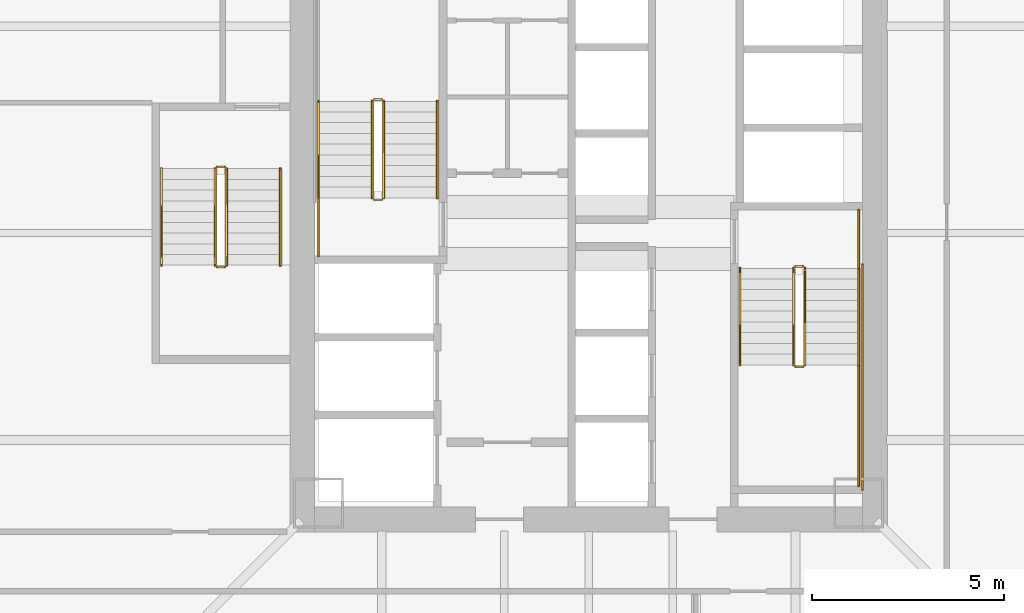
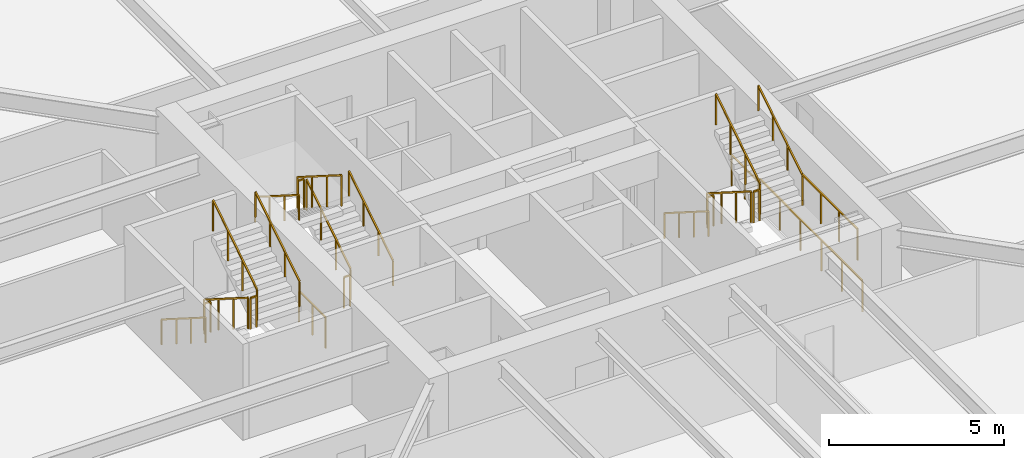
# One storey, part 42 of 46: 22 railings.
"""IFC4 building model written with IfcOpenShell, lengths in metres."""

from ifc_helpers import new_model, si_unit, direction, frame, origin, origin_2d, place, context, subcontext, project, spatial, rectangle, extrude, material, type_object, element, save


model = new_model("IFC4")

# Units and contexts
model_context = context("Model", 3, precision=1e-05, world=origin(), true_north=direction((0.0, 1.0)))
body_context = subcontext(model_context, "Body", "Model", "MODEL_VIEW")
ifc_project = project(units=[si_unit("LENGTHUNIT", "METRE"), si_unit("AREAUNIT", "SQUARE_METRE"), si_unit("VOLUMEUNIT", "CUBIC_METRE"), si_unit("PLANEANGLEUNIT", "RADIAN"), si_unit("MASSUNIT", "GRAM", prefix="KILO")], contexts=[model_context])

# Site, building, storey
site_placement = place(None, origin())
site = spatial("IfcSite", under=ifc_project, at=site_placement, CompositionType="ELEMENT")
building_placement = place(site_placement, origin())
building = spatial("IfcBuilding", under=site, at=building_placement, Name="Tashvorn Skyway Center", CompositionType="ELEMENT")
storey_placement = place(building_placement, frame((0.0, 0.0, 60.10009765625)))
storey = spatial("IfcBuildingStorey", under=building, at=storey_placement, Name="L15", CompositionType="ELEMENT", Elevation=60.10009765625)

# Railings
ifc_material_1 = material(Name="Brushed stainless steel 316", Category="steel")
railing_type_1 = type_object("IfcRailingType", Name="RAIL-HAND-920", PredefinedType="HANDRAIL", material=ifc_material_1)
railing_1_placement = place(storey_placement, frame((38.050048828125, 32.919921875, 0.177490234375)))
element("IfcRailing", 1, at=railing_1_placement, inside=storey, type_object=railing_type_1, Name="L15 ST-T1-1 stair handrail 1", PredefinedType="HANDRAIL", context=body_context, shape_type="SweptSolid", body=[
    extrude(rectangle(XDim=0.048095703125, YDim=0.048095703125, at=origin_2d()), frame((0.0, 0.0, 0.8759765625), z_axis=(0.0, 0.84460694969, 0.535386869969), x_axis=(-1.0, 0.0, 0.0)), (0.0, 0.0, 1.0), 2.983642578125),
    extrude(rectangle(XDim=0.0419921875, YDim=0.0419921875, at=origin_2d()), origin(), (0.0, 0.0, 1.0), 0.851806640625),
    extrude(rectangle(XDim=0.0419921875, YDim=0.0419921875, at=origin_2d()), frame((0.0, 0.840087890625, 0.532470703125)), (0.0, 0.0, 1.0), 0.851806640625),
    extrude(rectangle(XDim=0.0419921875, YDim=0.0419921875, at=origin_2d()), frame((0.0, 1.679931640625, 1.06494140625)), (0.0, 0.0, 1.0), 0.851806640625),
    extrude(rectangle(XDim=0.0419921875, YDim=0.0419921875, at=origin_2d()), frame((0.0, 2.52001953125, 1.597412109375)), (0.0, 0.0, 1.0), 0.851806640625),
])
for number, where, name in (
    (2, (34.949951171875, 35.43994140625, 1.952392578125), "L15 ST-T1-1 stair handrail 2"),
    (3, (45.949951171875, 31.080078125, 0.177490234375), "L15 ST-T1-2 stair handrail 1"),
):
    element("IfcRailing", number, at=place(storey_placement, frame(where)), inside=storey, type_object=railing_type_1, Name=name, PredefinedType="HANDRAIL", context=body_context, shape_type="SweptSolid", body=[
        extrude(rectangle(XDim=0.048095703125, YDim=0.048095703125, at=origin_2d()), frame((0.0, 0.0, 0.8759765625), z_axis=(0.0, -0.84460694969, 0.535386869969), x_axis=(1.0, 0.0, 0.0)), (0.0, 0.0, 1.0), 2.983642578125),
        extrude(rectangle(XDim=0.0419921875, YDim=0.0419921875, at=origin_2d()), origin(), (0.0, 0.0, 1.0), 0.851806640625),
        extrude(rectangle(XDim=0.0419921875, YDim=0.0419921875, at=origin_2d()), frame((0.0, -0.840087890625, 0.532470703125)), (0.0, 0.0, 1.0), 0.851806640625),
        extrude(rectangle(XDim=0.0419921875, YDim=0.0419921875, at=origin_2d()), frame((0.0, -1.679931640625, 1.06494140625)), (0.0, 0.0, 1.0), 0.851806640625),
        extrude(rectangle(XDim=0.0419921875, YDim=0.0419921875, at=origin_2d()), frame((0.0, -2.52001953125, 1.597412109375)), (0.0, 0.0, 1.0), 0.851806640625),
    ])
railing_2_placement = place(storey_placement, frame((49.050048828125, 28.56005859375, 1.952392578125)))
element("IfcRailing", 4, at=railing_2_placement, inside=storey, type_object=railing_type_1, Name="L15 ST-T1-2 stair handrail 2", PredefinedType="HANDRAIL", context=body_context, shape_type="SweptSolid", body=[
    extrude(rectangle(XDim=0.048095703125, YDim=0.048095703125, at=origin_2d()), frame((0.0, 0.0, 0.8759765625), z_axis=(0.0, 0.84460694969, 0.535386869969), x_axis=(-1.0, 0.0, 0.0)), (0.0, 0.0, 1.0), 2.983642578125),
    extrude(rectangle(XDim=0.0419921875, YDim=0.0419921875, at=origin_2d()), origin(), (0.0, 0.0, 1.0), 0.851806640625),
    extrude(rectangle(XDim=0.0419921875, YDim=0.0419921875, at=origin_2d()), frame((0.0, 0.840087890625, 0.532470703125)), (0.0, 0.0, 1.0), 0.851806640625),
    extrude(rectangle(XDim=0.0419921875, YDim=0.0419921875, at=origin_2d()), frame((0.0, 1.679931640625, 1.06494140625)), (0.0, 0.0, 1.0), 0.851806640625),
    extrude(rectangle(XDim=0.0419921875, YDim=0.0419921875, at=origin_2d()), frame((0.0, 2.52001953125, 1.597412109375)), (0.0, 0.0, 1.0), 0.851806640625),
])
railing_3_placement = place(storey_placement, frame((30.85009765625, 33.679931640625, 0.177490234375)))
element("IfcRailing", 5, at=railing_3_placement, inside=storey, type_object=railing_type_1, Name="L15 ST-T1-3 stair handrail 1", PredefinedType="HANDRAIL", context=body_context, shape_type="SweptSolid", body=[
    extrude(rectangle(XDim=0.048095703125, YDim=0.048095703125, at=origin_2d()), frame((0.0, 0.0, 0.8759765625), z_axis=(0.0, -0.84460694969, 0.535386869969), x_axis=(1.0, 0.0, 0.0)), (0.0, 0.0, 1.0), 2.983642578125),
    extrude(rectangle(XDim=0.0419921875, YDim=0.0419921875, at=origin_2d()), origin(), (0.0, 0.0, 1.0), 0.851806640625),
    extrude(rectangle(XDim=0.0419921875, YDim=0.0419921875, at=origin_2d()), frame((0.0, -0.840087890625, 0.532470703125)), (0.0, 0.0, 1.0), 0.851806640625),
    extrude(rectangle(XDim=0.0419921875, YDim=0.0419921875, at=origin_2d()), frame((0.0, -1.679931640625, 1.06494140625)), (0.0, 0.0, 1.0), 0.851806640625),
    extrude(rectangle(XDim=0.0419921875, YDim=0.0419921875, at=origin_2d()), frame((0.0, -2.52001953125, 1.597412109375)), (0.0, 0.0, 1.0), 0.851806640625),
])
railing_4_placement = place(storey_placement, frame((33.949951171875, 31.159912109375, 1.952392578125)))
element("IfcRailing", 6, at=railing_4_placement, inside=storey, type_object=railing_type_1, Name="L15 ST-T1-3 stair handrail 2", PredefinedType="HANDRAIL", context=body_context, shape_type="SweptSolid", body=[
    extrude(rectangle(XDim=0.048095703125, YDim=0.048095703125, at=origin_2d()), frame((0.0, 0.0, 0.8759765625), z_axis=(0.0, 0.84460694969, 0.535386869969), x_axis=(-1.0, 0.0, 0.0)), (0.0, 0.0, 1.0), 2.983642578125),
    extrude(rectangle(XDim=0.0419921875, YDim=0.0419921875, at=origin_2d()), origin(), (0.0, 0.0, 1.0), 0.851806640625),
    extrude(rectangle(XDim=0.0419921875, YDim=0.0419921875, at=origin_2d()), frame((0.0, 0.840087890625, 0.532470703125)), (0.0, 0.0, 1.0), 0.851806640625),
    extrude(rectangle(XDim=0.0419921875, YDim=0.0419921875, at=origin_2d()), frame((0.0, 1.679931640625, 1.06494140625)), (0.0, 0.0, 1.0), 0.851806640625),
    extrude(rectangle(XDim=0.0419921875, YDim=0.0419921875, at=origin_2d()), frame((0.0, 2.52001953125, 1.597412109375)), (0.0, 0.0, 1.0), 0.851806640625),
])
ifc_material_2 = material(Name="Painted galvanized steel S355", Category="steel")
railing_type_2 = type_object("IfcRailingType", Name="RAIL-STGUARD-1100", PredefinedType="GUARDRAIL", material=ifc_material_2)
railing_5_placement = place(storey_placement, frame((36.64990234375, 32.919921875, 0.177490234375)))
element("IfcRailing", 7, at=railing_5_placement, inside=storey, type_object=railing_type_2, Name="L15 ST-T1-1 stair guard 1", PredefinedType="GUARDRAIL", context=body_context, shape_type="SweptSolid", body=[
    extrude(rectangle(XDim=0.048095703125, YDim=0.048095703125, at=origin_2d()), frame((0.0, 0.0, 1.076171875), z_axis=(0.0, 0.84460694969, 0.535386869969), x_axis=(-1.0, 0.0, 0.0)), (0.0, 0.0, 1.0), 2.983642578125),
    extrude(rectangle(XDim=0.0419921875, YDim=0.0419921875, at=origin_2d()), origin(), (0.0, 0.0, 1.0), 1.052001953125),
    extrude(rectangle(XDim=0.0419921875, YDim=0.0419921875, at=origin_2d()), frame((0.0, 0.840087890625, 0.532470703125)), (0.0, 0.0, 1.0), 1.052001953125),
    extrude(rectangle(XDim=0.0419921875, YDim=0.0419921875, at=origin_2d()), frame((0.0, 1.679931640625, 1.06494140625)), (0.0, 0.0, 1.0), 1.052001953125),
    extrude(rectangle(XDim=0.0419921875, YDim=0.0419921875, at=origin_2d()), frame((0.0, 2.52001953125, 1.597412109375)), (0.0, 0.0, 1.0), 1.052001953125),
])
railing_6_placement = place(storey_placement, frame((36.60009765625, 35.489990234375, 1.77490234375)))
element("IfcRailing", 8, at=railing_6_placement, inside=storey, type_object=railing_type_2, Name="L15 ST-T1-1 stair guard 2", PredefinedType="GUARDRAIL", context=body_context, shape_type="SweptSolid", body=[
    extrude(rectangle(XDim=0.048095703125, YDim=0.048095703125, at=origin_2d()), frame((0.0, 0.0, 1.076171875), z_axis=(-1.0, 0.0, 0.0), x_axis=(0.0, -1.0, 0.0)), (0.0, 0.0, 1.0), 0.2001953125),
    extrude(rectangle(XDim=0.0419921875, YDim=0.0419921875, at=origin_2d()), origin(), (0.0, 0.0, 1.0), 1.052001953125),
    extrude(rectangle(XDim=0.0419921875, YDim=0.0419921875, at=origin_2d()), frame((-0.2001953125, 0.0, 0.0)), (0.0, 0.0, 1.0), 1.052001953125),
])
railing_7_placement = place(storey_placement, frame((36.35009765625, 35.43994140625, 1.952392578125)))
element("IfcRailing", 9, at=railing_7_placement, inside=storey, type_object=railing_type_2, Name="L15 ST-T1-1 stair guard 4", PredefinedType="GUARDRAIL", context=body_context, shape_type="SweptSolid", body=[
    extrude(rectangle(XDim=0.048095703125, YDim=0.048095703125, at=origin_2d()), frame((0.0, 0.0, 1.076171875), z_axis=(0.0, -0.84460694969, 0.535386869969), x_axis=(1.0, 0.0, 0.0)), (0.0, 0.0, 1.0), 2.983642578125),
    extrude(rectangle(XDim=0.0419921875, YDim=0.0419921875, at=origin_2d()), origin(), (0.0, 0.0, 1.0), 1.052001953125),
    extrude(rectangle(XDim=0.0419921875, YDim=0.0419921875, at=origin_2d()), frame((0.0, -0.840087890625, 0.532470703125)), (0.0, 0.0, 1.0), 1.052001953125),
    extrude(rectangle(XDim=0.0419921875, YDim=0.0419921875, at=origin_2d()), frame((0.0, -1.679931640625, 1.06494140625)), (0.0, 0.0, 1.0), 1.052001953125),
    extrude(rectangle(XDim=0.0419921875, YDim=0.0419921875, at=origin_2d()), frame((0.0, -2.52001953125, 1.597412109375)), (0.0, 0.0, 1.0), 1.052001953125),
])
railing_8_placement = place(storey_placement, frame((36.60009765625, 32.8701171875, 0.0)))
element("IfcRailing", 10, at=railing_8_placement, inside=storey, type_object=railing_type_2, Name="L15 ST-T1-1 stair guard 5", PredefinedType="GUARDRAIL", context=body_context, shape_type="SweptSolid", body=[
    extrude(rectangle(XDim=0.048095703125, YDim=0.048095703125, at=origin_2d()), frame((0.0, 0.0, 1.076171875), z_axis=(-1.0, 0.0, 0.0), x_axis=(0.0, -1.0, 0.0)), (0.0, 0.0, 1.0), 0.2001953125),
    extrude(rectangle(XDim=0.0419921875, YDim=0.0419921875, at=origin_2d()), origin(), (0.0, 0.0, 1.0), 1.052001953125),
    extrude(rectangle(XDim=0.0419921875, YDim=0.0419921875, at=origin_2d()), frame((-0.2001953125, 0.0, 0.0)), (0.0, 0.0, 1.0), 1.052001953125),
])
railing_9_placement = place(storey_placement, frame((34.949951171875, 31.39990234375, 0.0)))
element("IfcRailing", 11, at=railing_9_placement, inside=storey, type_object=railing_type_2, Name="L15 ST-T1-1 stair guard 6", PredefinedType="GUARDRAIL", context=body_context, shape_type="SweptSolid", body=[
    extrude(rectangle(XDim=0.048095703125, YDim=0.048095703125, at=origin_2d()), frame((0.0, 0.0, 1.076171875), z_axis=(0.0, 1.0, 0.0), x_axis=(-1.0, 0.0, 0.0)), (0.0, 0.0, 1.0), 1.52001953125),
    extrude(rectangle(XDim=0.0419921875, YDim=0.0419921875, at=origin_2d()), origin(), (0.0, 0.0, 1.0), 1.052001953125),
    extrude(rectangle(XDim=0.0419921875, YDim=0.0419921875, at=origin_2d()), frame((0.0, 0.760009765625, 0.0)), (0.0, 0.0, 1.0), 1.052001953125),
    extrude(rectangle(XDim=0.0419921875, YDim=0.0419921875, at=origin_2d()), frame((0.0, 1.52001953125, 0.0)), (0.0, 0.0, 1.0), 1.052001953125),
])
railing_10_placement = place(storey_placement, frame((47.35009765625, 31.080078125, 0.177490234375)))
element("IfcRailing", 12, at=railing_10_placement, inside=storey, type_object=railing_type_2, Name="L15 ST-T1-2 stair guard 1", PredefinedType="GUARDRAIL", context=body_context, shape_type="SweptSolid", body=[
    extrude(rectangle(XDim=0.048095703125, YDim=0.048095703125, at=origin_2d()), frame((0.0, 0.0, 1.076171875), z_axis=(0.0, -0.84460694969, 0.535386869969), x_axis=(1.0, 0.0, 0.0)), (0.0, 0.0, 1.0), 2.983642578125),
    extrude(rectangle(XDim=0.0419921875, YDim=0.0419921875, at=origin_2d()), origin(), (0.0, 0.0, 1.0), 1.052001953125),
    extrude(rectangle(XDim=0.0419921875, YDim=0.0419921875, at=origin_2d()), frame((0.0, -0.840087890625, 0.532470703125)), (0.0, 0.0, 1.0), 1.052001953125),
    extrude(rectangle(XDim=0.0419921875, YDim=0.0419921875, at=origin_2d()), frame((0.0, -1.679931640625, 1.06494140625)), (0.0, 0.0, 1.0), 1.052001953125),
    extrude(rectangle(XDim=0.0419921875, YDim=0.0419921875, at=origin_2d()), frame((0.0, -2.52001953125, 1.597412109375)), (0.0, 0.0, 1.0), 1.052001953125),
])
railing_11_placement = place(storey_placement, frame((47.39990234375, 28.510009765625, 1.77490234375)))
element("IfcRailing", 13, at=railing_11_placement, inside=storey, type_object=railing_type_2, Name="L15 ST-T1-2 stair guard 2", PredefinedType="GUARDRAIL", context=body_context, shape_type="SweptSolid", body=[
    extrude(rectangle(XDim=0.048095703125, YDim=0.048095703125, at=origin_2d()), frame((0.0, 0.0, 1.076171875), z_axis=(1.0, 0.0, 0.0), x_axis=(0.0, 1.0, 0.0)), (0.0, 0.0, 1.0), 0.2001953125),
    extrude(rectangle(XDim=0.0419921875, YDim=0.0419921875, at=origin_2d()), origin(), (0.0, 0.0, 1.0), 1.052001953125),
    extrude(rectangle(XDim=0.0419921875, YDim=0.0419921875, at=origin_2d()), frame((0.2001953125, 0.0, 0.0)), (0.0, 0.0, 1.0), 1.052001953125),
])
railing_12_placement = place(storey_placement, frame((49.050048828125, 28.56005859375, 1.77490234375)))
element("IfcRailing", 14, at=railing_12_placement, inside=storey, type_object=railing_type_2, Name="L15 ST-T1-2 stair guard 3", PredefinedType="GUARDRAIL", context=body_context, shape_type="SweptSolid", body=[
    extrude(rectangle(XDim=0.048095703125, YDim=0.048095703125, at=origin_2d()), frame((0.0, 0.0, 1.076171875), z_axis=(0.0, -1.0, 0.0), x_axis=(1.0, 0.0, 0.0)), (0.0, 0.0, 1.0), 3.16015625),
    extrude(rectangle(XDim=0.0419921875, YDim=0.0419921875, at=origin_2d()), origin(), (0.0, 0.0, 1.0), 1.052001953125),
    extrude(rectangle(XDim=0.0419921875, YDim=0.0419921875, at=origin_2d()), frame((0.0, -1.053466796875, 0.0)), (0.0, 0.0, 1.0), 1.052001953125),
    extrude(rectangle(XDim=0.0419921875, YDim=0.0419921875, at=origin_2d()), frame((0.0, -2.106689453125, 0.0)), (0.0, 0.0, 1.0), 1.052001953125),
    extrude(rectangle(XDim=0.0419921875, YDim=0.0419921875, at=origin_2d()), frame((0.0, -3.16015625, 0.0)), (0.0, 0.0, 1.0), 1.052001953125),
])
railing_13_placement = place(storey_placement, frame((47.64990234375, 28.56005859375, 1.952392578125)))
element("IfcRailing", 15, at=railing_13_placement, inside=storey, type_object=railing_type_2, Name="L15 ST-T1-2 stair guard 4", PredefinedType="GUARDRAIL", context=body_context, shape_type="SweptSolid", body=[
    extrude(rectangle(XDim=0.048095703125, YDim=0.048095703125, at=origin_2d()), frame((0.0, 0.0, 1.076171875), z_axis=(0.0, 0.84460694969, 0.535386869969), x_axis=(-1.0, 0.0, 0.0)), (0.0, 0.0, 1.0), 2.983642578125),
    extrude(rectangle(XDim=0.0419921875, YDim=0.0419921875, at=origin_2d()), origin(), (0.0, 0.0, 1.0), 1.052001953125),
    extrude(rectangle(XDim=0.0419921875, YDim=0.0419921875, at=origin_2d()), frame((0.0, 0.840087890625, 0.532470703125)), (0.0, 0.0, 1.0), 1.052001953125),
    extrude(rectangle(XDim=0.0419921875, YDim=0.0419921875, at=origin_2d()), frame((0.0, 1.679931640625, 1.06494140625)), (0.0, 0.0, 1.0), 1.052001953125),
    extrude(rectangle(XDim=0.0419921875, YDim=0.0419921875, at=origin_2d()), frame((0.0, 2.52001953125, 1.597412109375)), (0.0, 0.0, 1.0), 1.052001953125),
])
railing_14_placement = place(storey_placement, frame((47.39990234375, 31.1298828125, 0.0)))
element("IfcRailing", 16, at=railing_14_placement, inside=storey, type_object=railing_type_2, Name="L15 ST-T1-2 stair guard 5", PredefinedType="GUARDRAIL", context=body_context, shape_type="SweptSolid", body=[
    extrude(rectangle(XDim=0.048095703125, YDim=0.048095703125, at=origin_2d()), frame((0.0, 0.0, 1.076171875), z_axis=(1.0, 0.0, 0.0), x_axis=(0.0, 1.0, 0.0)), (0.0, 0.0, 1.0), 0.2001953125),
    extrude(rectangle(XDim=0.0419921875, YDim=0.0419921875, at=origin_2d()), origin(), (0.0, 0.0, 1.0), 1.052001953125),
    extrude(rectangle(XDim=0.0419921875, YDim=0.0419921875, at=origin_2d()), frame((0.2001953125, 0.0, 0.0)), (0.0, 0.0, 1.0), 1.052001953125),
])
railing_15_placement = place(storey_placement, frame((49.050048828125, 32.60009765625, 0.0)))
element("IfcRailing", 17, at=railing_15_placement, inside=storey, type_object=railing_type_2, Name="L15 ST-T1-2 stair guard 6", PredefinedType="GUARDRAIL", context=body_context, shape_type="SweptSolid", body=[
    extrude(rectangle(XDim=0.048095703125, YDim=0.048095703125, at=origin_2d()), frame((0.0, 0.0, 1.076171875), z_axis=(0.0, -1.0, 0.0), x_axis=(1.0, 0.0, 0.0)), (0.0, 0.0, 1.0), 1.52001953125),
    extrude(rectangle(XDim=0.0419921875, YDim=0.0419921875, at=origin_2d()), origin(), (0.0, 0.0, 1.0), 1.052001953125),
    extrude(rectangle(XDim=0.0419921875, YDim=0.0419921875, at=origin_2d()), frame((0.0, -0.760009765625, 0.0)), (0.0, 0.0, 1.0), 1.052001953125),
    extrude(rectangle(XDim=0.0419921875, YDim=0.0419921875, at=origin_2d()), frame((0.0, -1.52001953125, 0.0)), (0.0, 0.0, 1.0), 1.052001953125),
])
railing_16_placement = place(storey_placement, frame((49.14990234375, 31.179931640625, 0.0)))
element("IfcRailing", 18, at=railing_16_placement, inside=storey, type_object=railing_type_2, Name="L15 ST-T1-2 stair guard 7", PredefinedType="GUARDRAIL", context=body_context, shape_type="SweptSolid", body=[
    extrude(rectangle(XDim=0.048095703125, YDim=0.048095703125, at=origin_2d()), frame((0.0, 0.0, 1.076171875), z_axis=(0.0, -1.0, 0.0), x_axis=(1.0, 0.0, 0.0)), (0.0, 0.0, 1.0), 5.8798828125),
    extrude(rectangle(XDim=0.0419921875, YDim=0.0419921875, at=origin_2d()), origin(), (0.0, 0.0, 1.0), 1.052001953125),
    extrude(rectangle(XDim=0.0419921875, YDim=0.0419921875, at=origin_2d()), frame((0.0, -1.176025390625, 0.0)), (0.0, 0.0, 1.0), 1.052001953125),
    extrude(rectangle(XDim=0.0419921875, YDim=0.0419921875, at=origin_2d()), frame((0.0, -2.35205078125, 0.0)), (0.0, 0.0, 1.0), 1.052001953125),
    extrude(rectangle(XDim=0.0419921875, YDim=0.0419921875, at=origin_2d()), frame((0.0, -3.52783203125, 0.0)), (0.0, 0.0, 1.0), 1.052001953125),
    extrude(rectangle(XDim=0.0419921875, YDim=0.0419921875, at=origin_2d()), frame((0.0, -4.703857421875, 0.0)), (0.0, 0.0, 1.0), 1.052001953125),
    extrude(rectangle(XDim=0.0419921875, YDim=0.0419921875, at=origin_2d()), frame((0.0, -5.8798828125, 0.0)), (0.0, 0.0, 1.0), 1.052001953125),
])
railing_17_placement = place(storey_placement, frame((32.25, 33.679931640625, 0.177490234375)))
element("IfcRailing", 19, at=railing_17_placement, inside=storey, type_object=railing_type_2, Name="L15 ST-T1-3 stair guard 1", PredefinedType="GUARDRAIL", context=body_context, shape_type="SweptSolid", body=[
    extrude(rectangle(XDim=0.048095703125, YDim=0.048095703125, at=origin_2d()), frame((0.0, 0.0, 1.076171875), z_axis=(0.0, -0.84460694969, 0.535386869969), x_axis=(1.0, 0.0, 0.0)), (0.0, 0.0, 1.0), 2.983642578125),
    extrude(rectangle(XDim=0.0419921875, YDim=0.0419921875, at=origin_2d()), origin(), (0.0, 0.0, 1.0), 1.052001953125),
    extrude(rectangle(XDim=0.0419921875, YDim=0.0419921875, at=origin_2d()), frame((0.0, -0.840087890625, 0.532470703125)), (0.0, 0.0, 1.0), 1.052001953125),
    extrude(rectangle(XDim=0.0419921875, YDim=0.0419921875, at=origin_2d()), frame((0.0, -1.679931640625, 1.06494140625)), (0.0, 0.0, 1.0), 1.052001953125),
    extrude(rectangle(XDim=0.0419921875, YDim=0.0419921875, at=origin_2d()), frame((0.0, -2.52001953125, 1.597412109375)), (0.0, 0.0, 1.0), 1.052001953125),
])
railing_18_placement = place(storey_placement, frame((32.300048828125, 31.110107421875, 1.77490234375)))
element("IfcRailing", 20, at=railing_18_placement, inside=storey, type_object=railing_type_2, Name="L15 ST-T1-3 stair guard 2", PredefinedType="GUARDRAIL", context=body_context, shape_type="SweptSolid", body=[
    extrude(rectangle(XDim=0.048095703125, YDim=0.048095703125, at=origin_2d()), frame((0.0, 0.0, 1.076171875), z_axis=(1.0, 0.0, 0.0), x_axis=(0.0, 1.0, 0.0)), (0.0, 0.0, 1.0), 0.199951171875),
    extrude(rectangle(XDim=0.0419921875, YDim=0.0419921875, at=origin_2d()), origin(), (0.0, 0.0, 1.0), 1.052001953125),
    extrude(rectangle(XDim=0.0419921875, YDim=0.0419921875, at=origin_2d()), frame((0.199951171875, 0.0, 0.0)), (0.0, 0.0, 1.0), 1.052001953125),
])
railing_19_placement = place(storey_placement, frame((32.550048828125, 31.159912109375, 1.952392578125)))
element("IfcRailing", 21, at=railing_19_placement, inside=storey, type_object=railing_type_2, Name="L15 ST-T1-3 stair guard 3", PredefinedType="GUARDRAIL", context=body_context, shape_type="SweptSolid", body=[
    extrude(rectangle(XDim=0.048095703125, YDim=0.048095703125, at=origin_2d()), frame((0.0, 0.0, 1.076171875), z_axis=(0.0, 0.84460694969, 0.535386869969), x_axis=(-1.0, 0.0, 0.0)), (0.0, 0.0, 1.0), 2.983642578125),
    extrude(rectangle(XDim=0.0419921875, YDim=0.0419921875, at=origin_2d()), origin(), (0.0, 0.0, 1.0), 1.052001953125),
    extrude(rectangle(XDim=0.0419921875, YDim=0.0419921875, at=origin_2d()), frame((0.0, 0.840087890625, 0.532470703125)), (0.0, 0.0, 1.0), 1.052001953125),
    extrude(rectangle(XDim=0.0419921875, YDim=0.0419921875, at=origin_2d()), frame((0.0, 1.679931640625, 1.06494140625)), (0.0, 0.0, 1.0), 1.052001953125),
    extrude(rectangle(XDim=0.0419921875, YDim=0.0419921875, at=origin_2d()), frame((0.0, 2.52001953125, 1.597412109375)), (0.0, 0.0, 1.0), 1.052001953125),
])
railing_20_placement = place(storey_placement, frame((32.300048828125, 33.72998046875, 0.0)))
element("IfcRailing", 22, at=railing_20_placement, inside=storey, type_object=railing_type_2, Name="L15 ST-T1-3 stair guard 4", PredefinedType="GUARDRAIL", context=body_context, shape_type="SweptSolid", body=[
    extrude(rectangle(XDim=0.048095703125, YDim=0.048095703125, at=origin_2d()), frame((0.0, 0.0, 1.076171875), z_axis=(1.0, 0.0, 0.0), x_axis=(0.0, 1.0, 0.0)), (0.0, 0.0, 1.0), 0.199951171875),
    extrude(rectangle(XDim=0.0419921875, YDim=0.0419921875, at=origin_2d()), origin(), (0.0, 0.0, 1.0), 1.052001953125),
    extrude(rectangle(XDim=0.0419921875, YDim=0.0419921875, at=origin_2d()), frame((0.199951171875, 0.0, 0.0)), (0.0, 0.0, 1.0), 1.052001953125),
])

save(model, "model.ifc")
